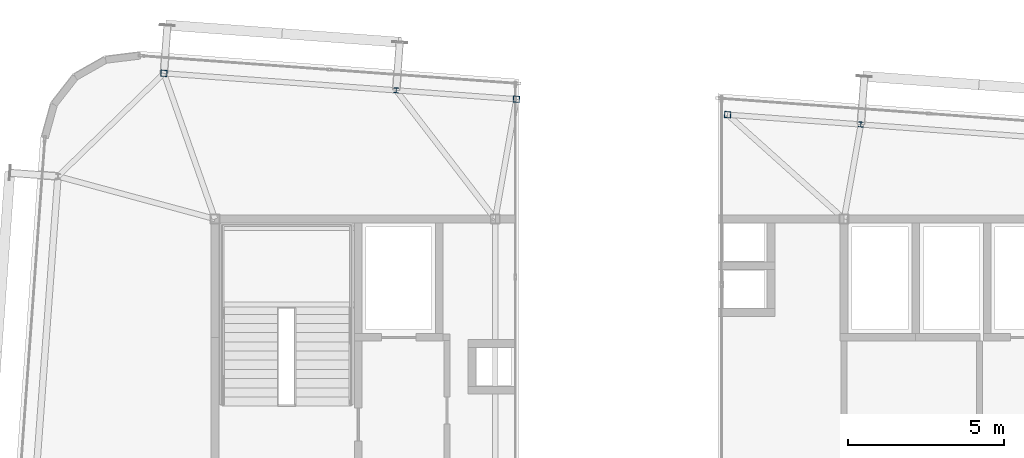
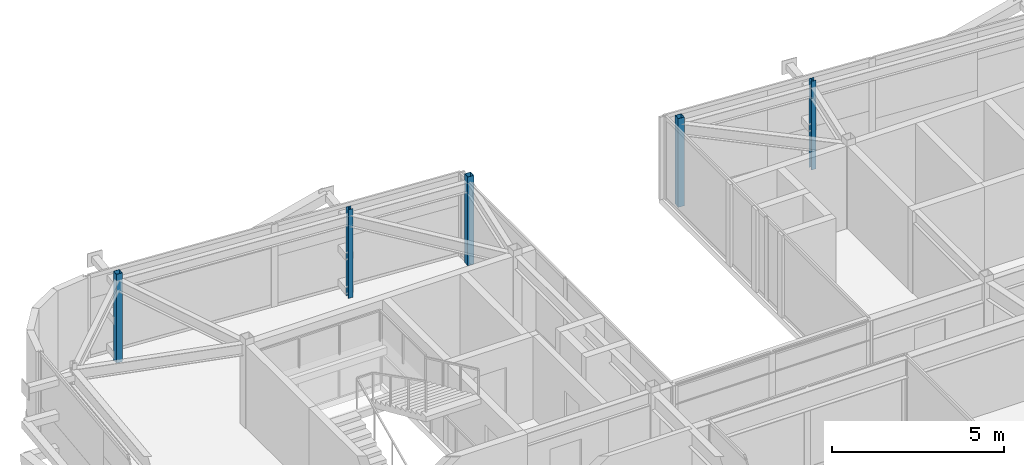
# One storey, part 7 of 39: 5 columns.
"""IFC4 building model written with IfcOpenShell, lengths in metres."""

import ifcopenshell
import ifcopenshell.guid

model = None  # the IFC model being written
_history = None  # IfcOwnerHistory: only IFC2X3 demands one
_inside = {}  # id of a spatial element -> (the spatial element, [elements in it])
_under = {}  # id of a project, library or spatial element -> (it, [spatial elements below it])
_declared = {}  # id of a project -> (the project, [libraries it declares])
_typed = {}  # id of a type object -> (the type object, [elements of that type])
_made_of = {}  # id of a material, layer set ... -> (it, [elements and type objects made of it])


def new_model(schema):
    """Start an empty IFC model of exactly this schema.

    Asked for "IFC4X3", IfcOpenShell would pick the latest addendum, in which some entities
    have other attributes; the version numbers below select the first issue.
    IFC2X3 requires an IfcOwnerHistory on every rooted entity: one is made here for all.
    """
    global model, _history
    if schema == "IFC4X3":
        model = ifcopenshell.file(schema_version=(4, 3, 0, 0))
    else:
        model = ifcopenshell.file(schema=schema)
    _inside.clear()
    _under.clear()
    _declared.clear()
    _typed.clear()
    _made_of.clear()
    _history = None
    if model.schema == "IFC2X3":
        org = make("IfcOrganization", Name="unknown")
        user = make(
            "IfcPersonAndOrganization",
            ThePerson=make("IfcPerson", FamilyName="unknown"),
            TheOrganization=org,
        )
        app = make(
            "IfcApplication",
            ApplicationDeveloper=org,
            Version="unknown",
            ApplicationFullName="unknown",
            ApplicationIdentifier="unknown",
        )
        _history = make(
            "IfcOwnerHistory",
            OwningUser=user,
            OwningApplication=app,
            ChangeAction="ADDED",
            CreationDate=0,
        )
    return model


def make(cls, **values):
    """One entity of the class cls with the attributes given. An attribute that is None is left unset."""
    return model.create_entity(
        cls, **{name: value for name, value in values.items() if value is not None}
    )


def rooted(cls, **values):
    """An entity with a GlobalId (a new one), such as an element, a storey or a relation."""
    return make(cls, GlobalId=ifcopenshell.guid.new(), OwnerHistory=_history, **values)


def si_unit(unit_type, name, prefix=None):
    """IfcSIUnit, for example si_unit("LENGTHUNIT", "METRE", prefix="MILLI")."""
    return make("IfcSIUnit", UnitType=unit_type, Prefix=prefix, Name=name)


def assignment(units):
    """IfcUnitAssignment: the units of a project."""
    return None if units is None else make("IfcUnitAssignment", Units=units)


def point(xyz):
    """IfcCartesianPoint."""
    return None if xyz is None else make("IfcCartesianPoint", Coordinates=xyz)


def direction(xyz):
    """IfcDirection."""
    return None if xyz is None else make("IfcDirection", DirectionRatios=xyz)


def frame(location, z_axis=None, x_axis=None):
    """IfcAxis2Placement3D, a coordinate frame: its origin and axes. An axis left out is left unset."""
    return make(
        "IfcAxis2Placement3D",
        Location=point(location),
        Axis=direction(z_axis),
        RefDirection=direction(x_axis),
    )


def frame_2d(location, x_axis=None):
    """IfcAxis2Placement2D, a coordinate frame in the plane: its origin and x axis."""
    return make(
        "IfcAxis2Placement2D", Location=point(location), RefDirection=direction(x_axis)
    )


def origin():
    """The frame at (0, 0, 0) with its axes left unset."""
    return frame((0.0, 0.0, 0.0))


def origin_2d():
    """The frame at (0, 0) in the plane with its x axis left unset."""
    return frame_2d((0.0, 0.0))


def place(relative_to, where):
    """IfcLocalPlacement: puts the frame where relative to a parent placement (None: the world)."""
    return make(
        "IfcLocalPlacement", PlacementRelTo=relative_to, RelativePlacement=where
    )


def context(
    kind, dimensions, precision=None, world=None, true_north=None, identifier=None
):
    """IfcGeometricRepresentationContext, for example the 3D "Model" context."""
    return make(
        "IfcGeometricRepresentationContext",
        ContextIdentifier=identifier,
        ContextType=kind,
        CoordinateSpaceDimension=dimensions,
        Precision=precision,
        WorldCoordinateSystem=world,
        TrueNorth=true_north,
    )


def subcontext(parent, identifier, kind, view, scale=None):
    """IfcGeometricRepresentationSubContext, for example "Body" below "Model"."""
    return make(
        "IfcGeometricRepresentationSubContext",
        ContextIdentifier=identifier,
        ContextType=kind,
        ParentContext=parent,
        TargetScale=scale,
        TargetView=view,
    )


def project(units=None, contexts=None):
    """IfcProject with its units and contexts."""
    return rooted(
        "IfcProject",
        Name="project",
        RepresentationContexts=contexts,
        UnitsInContext=assignment(units),
    )


def spatial(cls, under=None, at=None, **own):
    """A site, building, storey or space (cls), placed at a placement, below another one or the project."""
    s = rooted(cls, ObjectPlacement=at, **own)
    if under is not None:
        _under.setdefault(under.id(), (under, []))[1].append(s)
    return s


def profile(cls, at=None, kind="AREA", **sizes):
    """A parametric profile (cls). Its sizes go by their IFC names, for example OverallWidth=200.0."""
    return make(cls, ProfileType=kind, Position=at, **sizes)


def hollow_rectangle(**sizes):
    """IfcRectangleHollowProfileDef."""
    return profile("IfcRectangleHollowProfileDef", **sizes)


def i_section(**sizes):
    """IfcIShapeProfileDef."""
    return profile("IfcIShapeProfileDef", **sizes)


def extrude(swept, where, along, depth):
    """IfcExtrudedAreaSolid: the profile swept, set in the frame where, extruded along a direction by depth."""
    return make(
        "IfcExtrudedAreaSolid",
        SweptArea=swept,
        Position=where,
        ExtrudedDirection=direction(along),
        Depth=depth,
    )


def shape(context_of_items, identifier, shape_type, items):
    """IfcShapeRepresentation: the items that make up one representation, for example the "Body"."""
    return make(
        "IfcShapeRepresentation",
        ContextOfItems=context_of_items,
        RepresentationIdentifier=identifier,
        RepresentationType=shape_type,
        Items=items,
    )


def source(mapping_origin, context_of_items, identifier, shape_type, items):
    """IfcRepresentationMap: a shape defined once, which mapped items show again and again."""
    return make(
        "IfcRepresentationMap",
        MappingOrigin=mapping_origin,
        MappedRepresentation=shape(context_of_items, identifier, shape_type, items),
    )


def transform(
    local_origin,
    x_axis=None,
    y_axis=None,
    z_axis=None,
    scale=None,
    scale2=None,
    scale3=None,
    uniform=True,
):
    """IfcCartesianTransformationOperator3D, or its non-uniform kind. x_axis, y_axis, z_axis: its Axis1, 2, 3."""
    if uniform:
        return make(
            "IfcCartesianTransformationOperator3D",
            Axis1=direction(x_axis),
            Axis2=direction(y_axis),
            LocalOrigin=point(local_origin),
            Scale=scale,
            Axis3=direction(z_axis),
        )
    return make(
        "IfcCartesianTransformationOperator3DnonUniform",
        Axis1=direction(x_axis),
        Axis2=direction(y_axis),
        LocalOrigin=point(local_origin),
        Scale=scale,
        Axis3=direction(z_axis),
        Scale2=scale2,
        Scale3=scale3,
    )


def mapped(mapping_source, mapping_target):
    """IfcMappedItem: shows the shape of a source again, moved by a transform."""
    return make(
        "IfcMappedItem", MappingSource=mapping_source, MappingTarget=mapping_target
    )


def material(Name=None, Category=None):
    """IfcMaterial."""
    return make("IfcMaterial", Name=Name, Category=Category)


def material_profile(
    of_material, cross_section, Name=None, Category=None, Priority=None
):
    """IfcMaterialProfile: a cross section and its material."""
    return make(
        "IfcMaterialProfile",
        Name=Name,
        Material=of_material,
        Profile=cross_section,
        Priority=Priority,
        Category=Category,
    )


def profile_set(profiles, Name=None, composite=None):
    """IfcMaterialProfileSet."""
    return make(
        "IfcMaterialProfileSet",
        Name=Name,
        MaterialProfiles=profiles,
        CompositeProfile=composite,
    )


def made_of(thing, what):
    """Note that an element or type object is made of a material, layer set ...; save() writes the relation."""
    if what is not None:
        _made_of.setdefault(what.id(), (what, []))[1].append(thing)
    return thing


def type_object(cls, material=None, **own):
    """A type object (cls), such as IfcWallType, which elements share."""
    return made_of(rooted(cls, **own), material)


def element(
    cls,
    number,
    at=None,
    inside=None,
    cuts=None,
    type_object=None,
    material=None,
    context=None,
    identifier="Body",
    shape_type=None,
    held_by="IfcProductDefinitionShape",
    body=None,
    shapes=None,
    **own,
):
    """One element of the class cls, such as IfcWall. Its Tag is "e" and its number.

    at: its placement. inside: the storey or other place that contains it. cuts: it is an
    opening in that element (IfcRelVoidsElement). A single representation is given by context,
    identifier, shape_type and body (its items); several are given by shapes. held_by: the class
    of the entity that holds the representations. save() writes the other relations.
    """
    e = rooted(cls, Tag="e%d" % number, ObjectPlacement=at, **own)
    if body is not None:
        shapes = [shape(context, identifier, shape_type, body)]
    if shapes is not None:
        e.Representation = make(held_by, Representations=shapes)
    if inside is not None:
        _inside.setdefault(inside.id(), (inside, []))[1].append(e)
    if cuts is not None:
        rooted(
            "IfcRelVoidsElement", RelatingBuildingElement=cuts, RelatedOpeningElement=e
        )
    if type_object is not None:
        _typed.setdefault(type_object.id(), (type_object, []))[1].append(e)
    return made_of(e, material)


def aggregate(whole, parts):
    """IfcRelAggregates: a whole, such as a stair, and the parts it consists of."""
    return rooted("IfcRelAggregates", RelatingObject=whole, RelatedObjects=parts)


def save(model, path):
    """Write the relations noted so far, then the file.

    IfcRelAggregates (storeys below a building ...), IfcRelContainedInSpatialStructure (elements
    in a storey), IfcRelDefinesByType, IfcRelAssociatesMaterial and IfcRelDeclares: one each for
    every whole, place, type object, material and project.
    """
    for whole, parts in _under.values():
        aggregate(whole, parts)
    for where, things in _inside.values():
        rooted(
            "IfcRelContainedInSpatialStructure",
            RelatedElements=things,
            RelatingStructure=where,
        )
    for kind, things in _typed.values():
        rooted("IfcRelDefinesByType", RelatedObjects=things, RelatingType=kind)
    for what, things in _made_of.values():
        rooted("IfcRelAssociatesMaterial", RelatedObjects=things, RelatingMaterial=what)
    for by, libraries in _declared.values():
        rooted("IfcRelDeclares", RelatingContext=by, RelatedDefinitions=libraries)
    model.write(path)


model = new_model("IFC4")

# Units and contexts
model_context = context("Model", 3, precision=1e-05, world=origin(), true_north=direction((0.0, 1.0)))
body_context = subcontext(model_context, "Body", "Model", "MODEL_VIEW")
ifc_project = project(units=[si_unit("LENGTHUNIT", "METRE"), si_unit("AREAUNIT", "SQUARE_METRE"), si_unit("VOLUMEUNIT", "CUBIC_METRE"), si_unit("PLANEANGLEUNIT", "RADIAN"), si_unit("MASSUNIT", "GRAM", prefix="KILO")], contexts=[model_context])

# Site, building, storey
site_placement = place(None, origin())
site = spatial("IfcSite", under=ifc_project, at=site_placement, CompositionType="ELEMENT")
building_placement = place(site_placement, origin())
building = spatial("IfcBuilding", under=site, at=building_placement, Name="Taldren Reach Tower", CompositionType="ELEMENT")
storey_placement = place(building_placement, frame((0.0, 0.0, 230.300048828125)))
storey = spatial("IfcBuildingStorey", under=building, at=storey_placement, Name="L70", CompositionType="ELEMENT", Elevation=230.300048828125)

# Columns
ifc_material_1 = material(Name="Steel Gr 350 (C350L0)", Category="steel")
ifc_material_profile_1 = material_profile(ifc_material_1, hollow_rectangle(XDim=0.199951171875, YDim=0.199951171875, WallThickness=0.009033203125, at=origin_2d()), Name="200x200x9.0SHS")
ifc_profile_set_1 = profile_set([ifc_material_profile_1], Name="Steel Gr 350 (C350L0)")
column_type_1 = type_object("IfcColumnType", Name="COL-SHS200", PredefinedType="COLUMN", material=ifc_profile_set_1)
shared_shape_1 = source(origin(), body_context, "Body", "SweptSolid", [
    extrude(hollow_rectangle(XDim=0.199951171875, YDim=0.199951171875, WallThickness=0.009033203125, at=origin_2d()), origin(), (0.0, 0.0, 1.0), 3.14990234375),
])
for number, where, z_axis, x_axis, name in (
    (1, (17.35986328125, 36.678955078125, 0.0), (0.0, 0.0, 1.0), (0.997314477224, -0.073238197128, 0.0), "Block B5 perimeter column N1 L70"),
    (2, (28.67919921875, 35.84765625, 0.0), (0.0, 0.0, 1.0), (0.997314477224, -0.073238197128, 0.0), "Block B5 perimeter column PJN1 L70"),
    (3, (35.4609375, 35.349609375, 0.0), (0.0, 0.0, 1.0), (0.997314477224, -0.073238197128, 0.0), "Block B5 perimeter column PJN2 L70"),
):
    element("IfcColumn", number, at=place(storey_placement, frame(where, z_axis=z_axis, x_axis=x_axis)), inside=storey, type_object=column_type_1, Name=name, PredefinedType="COLUMN", context=body_context, shape_type="MappedRepresentation", body=[
        mapped(shared_shape_1, transform((0.0, 0.0, 0.0), scale=1.0)),
    ])
ifc_material_2 = material(Name="Steel Gr 350 (350PLUS)", Category="steel")
ifc_material_profile_2 = material_profile(ifc_material_2, i_section(OverallWidth=0.154052734375, OverallDepth=0.162109375, WebThickness=0.008056640625, FlangeThickness=0.011474609375, at=origin_2d()), Name="150UC37.2")
ifc_profile_set_2 = profile_set([ifc_material_profile_2], Name="Steel Gr 350 (350PLUS)")
column_type_2 = type_object("IfcColumnType", Name="COL-UC150", PredefinedType="COLUMN", material=ifc_profile_set_2)
shared_shape_2 = source(origin(), body_context, "Body", "SweptSolid", [
    extrude(i_section(OverallWidth=0.154052734375, OverallDepth=0.162109375, WebThickness=0.008056640625, FlangeThickness=0.011474609375, at=origin_2d()), origin(), (0.0, 0.0, 1.0), 3.14990234375),
])
for number, where, z_axis, x_axis, name in (
    (4, (24.819580078125, 36.131103515625, 0.0), (0.0, 0.0, 1.0), (0.997314477224, -0.073238197128, 0.0), "Block B5 perimeter column N2 L70"),
    (5, (39.739501953125, 35.035400390625, 0.0), (0.0, 0.0, 1.0), (0.997314477224, -0.073238197128, 0.0), "Block B5 perimeter column N4 L70"),
):
    element("IfcColumn", number, at=place(storey_placement, frame(where, z_axis=z_axis, x_axis=x_axis)), inside=storey, type_object=column_type_2, Name=name, PredefinedType="COLUMN", context=body_context, shape_type="MappedRepresentation", body=[
        mapped(shared_shape_2, transform((0.0, 0.0, 0.0), scale=1.0)),
    ])

save(model, "model.ifc")
